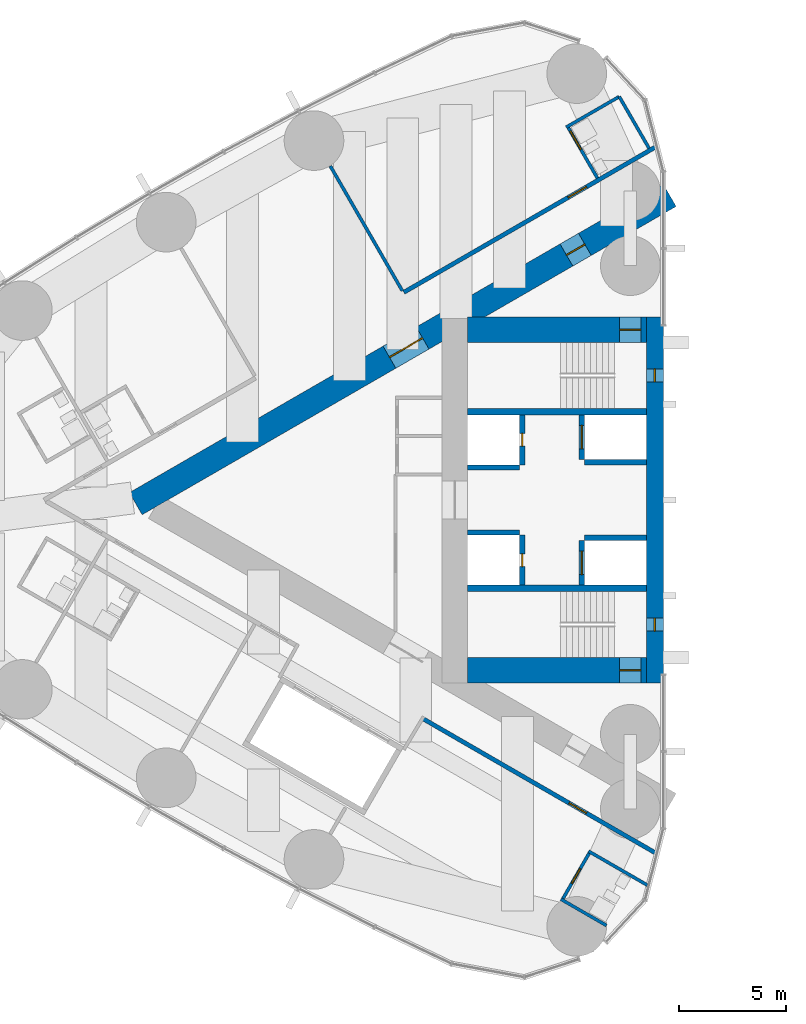
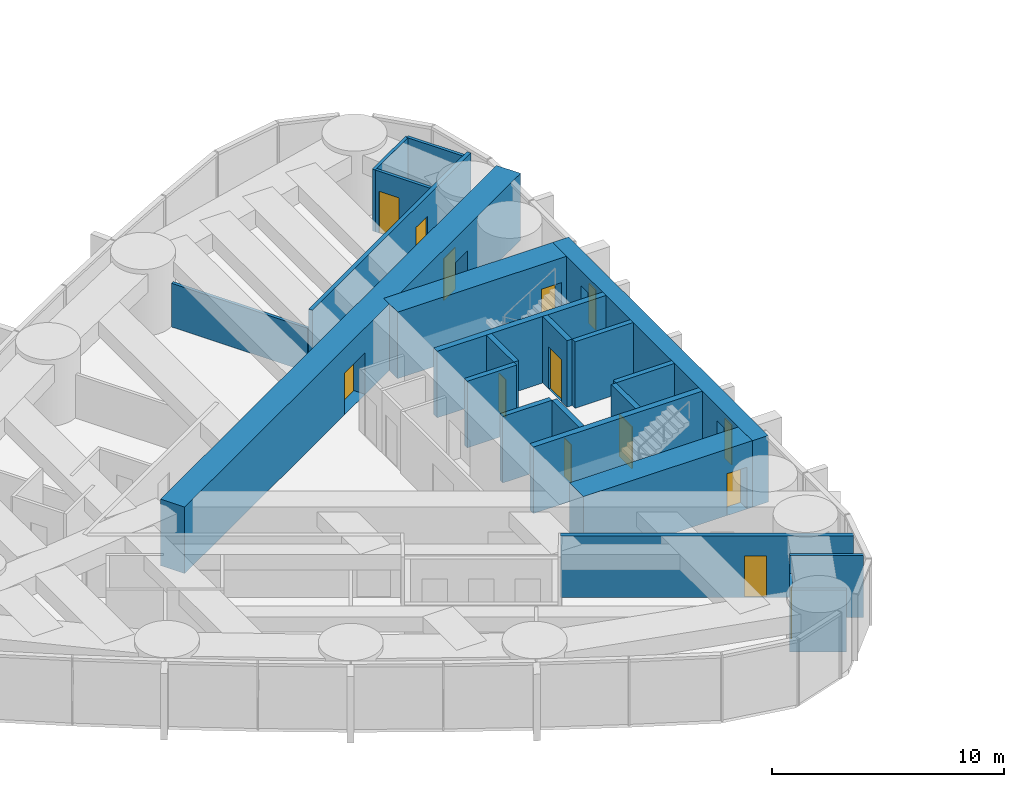
# One storey, part 13 of 19: 23 walls, 12 doors, 2 windows, 14 openings.
"""IFC4 building model written with IfcOpenShell, lengths in metres."""

from ifc_helpers import new_model, si_unit, direction, frame, frame_2d, origin, place, context, subcontext, project, spatial, rectangle, extrude, material, layer, layer_set, type_object, element, fill, save


model = new_model("IFC4")

# Units and contexts
model_context = context("Model", 3, precision=1e-05, world=origin(), true_north=direction((0.0, 1.0)))
body_context = subcontext(model_context, "Body", "Model", "MODEL_VIEW")
ifc_project = project(units=[si_unit("LENGTHUNIT", "METRE"), si_unit("AREAUNIT", "SQUARE_METRE"), si_unit("VOLUMEUNIT", "CUBIC_METRE"), si_unit("PLANEANGLEUNIT", "RADIAN"), si_unit("MASSUNIT", "GRAM", prefix="KILO")], contexts=[model_context])

# Site, building, storey
site_placement = place(None, origin())
site = spatial("IfcSite", under=ifc_project, at=site_placement, CompositionType="ELEMENT")
building_placement = place(site_placement, origin())
building = spatial("IfcBuilding", under=site, at=building_placement, Name="Lancet Gate Hotel", CompositionType="ELEMENT")
storey_placement = place(building_placement, frame((0.0, 0.0, 163.300048828125)))
storey = spatial("IfcBuildingStorey", under=building, at=storey_placement, Name="L43", CompositionType="ELEMENT", Elevation=163.300048828125)

# Wall
ifc_material_1 = material(Name="Moisture resistant board partition")
ifc_layer_1 = layer(ifc_material_1, 0.14990234375)
ifc_layer_set_1 = layer_set([ifc_layer_1], Name="Bathroom wall 150")
wall_type_1 = type_object("IfcWallType", Name="Bathroom wall 150", PredefinedType="PARTITIONING", material=ifc_layer_set_1)
wall_1_placement = place(storey_placement, frame((-29.56982421875, 18.936279296875, 0.0), z_axis=(0.0, 0.0, 1.0), x_axis=(-0.866018712932, -0.500011588718, 0.0)))
element("IfcWall", 1, at=wall_1_placement, inside=storey, type_object=wall_type_1, Name="T1 bathroom wall 150 L43", PredefinedType="PARTITIONING", context=body_context, shape_type="SweptSolid", body=[
    extrude(rectangle(XDim=2.875, YDim=0.14990234375, at=frame_2d((1.4375, 0.0))), origin(), (0.0, 0.0, 1.0), 3.25),
])

# Wall, opening, door
wall_2_placement = place(storey_placement, frame((-30.5947265625, 15.111328125, 0.0), z_axis=(0.0, 0.0, 1.0), x_axis=(-0.49998411664, 0.866034573852, 0.0)))
wall_2 = element("IfcWall", 2, at=wall_2_placement, inside=storey, type_object=wall_type_1, Name="T1 bathroom wall 150 L43", PredefinedType="PARTITIONING", context=body_context, shape_type="SweptSolid", body=[
    extrude(rectangle(XDim=2.7998046875, YDim=0.14990234375, at=frame_2d((1.39990234375, 0.0))), origin(), (0.0, 0.0, 1.0), 3.25),
])
opening_1_placement = place(wall_2_placement, frame((1.550048828125, 0.0, 0.0)))
opening_1 = element("IfcOpeningElement", 3, at=opening_1_placement, cuts=wall_2, Name="Opening 4301-B", PredefinedType="OPENING", context=body_context, shape_type="SweptSolid", body=[
    extrude(rectangle(XDim=1.0, YDim=2.199951171875, at=frame_2d((0.5, 1.10009765625))), frame((0.0, 0.0849609375, 0.0), z_axis=(0.0, -1.0, 0.0), x_axis=(1.0, 0.0, 0.0)), (0.0, 0.0, 1.0), 0.169921875),
])
ifc_material_2 = material(Name="Timber door set", Category="wood")
door_type_1 = type_object("IfcDoorType", Name="Accessible en-suite door 1000", OperationType="SINGLE_SWING_RIGHT", PredefinedType="DOOR", material=ifc_material_2)
door_1_placement = place(opening_1_placement, origin())
door_1 = element("IfcDoor", 4, at=door_1_placement, inside=storey, type_object=door_type_1, Name="4301-B", OperationType="SINGLE_SWING_RIGHT", OverallHeight=2.199951171875, OverallWidth=1.0, PredefinedType="DOOR", context=body_context, shape_type="SweptSolid", body=[
    extrude(rectangle(XDim=1.0, YDim=2.199951171875, at=frame_2d((0.5, 1.10009765625))), frame((0.0, 0.02490234375, 0.0), z_axis=(0.0, -1.0, 0.0), x_axis=(1.0, 0.0, 0.0)), (0.0, 0.0, 1.0), 0.050048828125),
])
fill(opening_1, door_1)

# Walls
wall_3_placement = place(storey_placement, frame((-28.169921875, 16.51123046875, 0.0), z_axis=(0.0, 0.0, 1.0), x_axis=(-0.49994636267, 0.866056369097, 0.0)))
element("IfcWall", 5, at=wall_3_placement, inside=storey, type_object=wall_type_1, Name="T1 bathroom wall 150 L43", PredefinedType="PARTITIONING", context=body_context, shape_type="SweptSolid", body=[
    extrude(rectangle(XDim=2.800048828125, YDim=0.14990234375, at=frame_2d((1.39990234375, 0.0))), origin(), (0.0, 0.0, 1.0), 3.25),
])
wall_4_placement = place(storey_placement, frame((-30.169921875, -19.975341796875, 0.0), z_axis=(0.0, 0.0, 1.0), x_axis=(-0.866006523861, 0.500032699561, 0.0)))
element("IfcWall", 6, at=wall_4_placement, inside=storey, type_object=wall_type_1, Name="T1 bathroom wall 150 L43", PredefinedType="PARTITIONING", context=body_context, shape_type="SweptSolid", body=[
    extrude(rectangle(XDim=2.474853515625, YDim=0.14990234375, at=frame_2d((1.2373046875, 0.0))), origin(), (0.0, 0.0, 1.0), 3.25),
])

# Wall, opening, door
wall_5_placement = place(storey_placement, frame((-30.9482421875, -16.523681640625, 0.0), z_axis=(0.0, 0.0, 1.0), x_axis=(-0.500006934395, -0.866021400173, 0.0)))
wall_5 = element("IfcWall", 7, at=wall_5_placement, inside=storey, type_object=wall_type_1, Name="T1 bathroom wall 150 L43", PredefinedType="PARTITIONING", context=body_context, shape_type="SweptSolid", body=[
    extrude(rectangle(XDim=2.60009765625, YDim=0.14990234375, at=frame_2d((1.300048828125, 0.0))), origin(), (0.0, 0.0, 1.0), 2.300048828125),
])
opening_2_placement = place(wall_5_placement, frame((0.89990234375, 0.0, 0.0)))
opening_2 = element("IfcOpeningElement", 8, at=opening_2_placement, cuts=wall_5, Name="Opening 4308-B", PredefinedType="OPENING", context=body_context, shape_type="SweptSolid", body=[
    extrude(rectangle(XDim=0.800048828125, YDim=2.199951171875, at=frame_2d((0.39990234375, 1.10009765625))), frame((0.0, 0.0849609375, 0.0), z_axis=(0.0, -1.0, 0.0), x_axis=(1.0, 0.0, 0.0)), (0.0, 0.0, 1.0), 0.169921875),
])
ifc_material_3 = material(Name="Timber door set", Category="wood")
door_type_2 = type_object("IfcDoorType", Name="Bathroom door 800", OperationType="SINGLE_SWING_RIGHT", PredefinedType="DOOR", material=ifc_material_3)
door_2_placement = place(opening_2_placement, origin())
door_2 = element("IfcDoor", 9, at=door_2_placement, inside=storey, type_object=door_type_2, Name="4308-B", OperationType="SINGLE_SWING_RIGHT", OverallHeight=2.199951171875, OverallWidth=0.800048828125, PredefinedType="DOOR", context=body_context, shape_type="SweptSolid", body=[
    extrude(rectangle(XDim=0.800048828125, YDim=2.199951171875, at=frame_2d((0.39990234375, 1.10009765625))), frame((0.0, 0.02490234375, 0.0), z_axis=(0.0, -1.0, 0.0), x_axis=(1.0, 0.0, 0.0)), (0.0, 0.0, 1.0), 0.050048828125),
])
fill(opening_2, door_2)

# Wall
wall_6_placement = place(storey_placement, frame((-28.246337890625, -18.083740234375, 0.0), z_axis=(0.0, 0.0, 1.0), x_axis=(-0.866029063467, 0.49999366119, 0.0)))
element("IfcWall", 10, at=wall_6_placement, inside=storey, type_object=wall_type_1, Name="T1 bathroom wall 150 L43", PredefinedType="PARTITIONING", context=body_context, shape_type="SweptSolid", body=[
    extrude(rectangle(XDim=3.19482421875, YDim=0.14990234375, at=frame_2d((1.597412109375, 0.0))), origin(), (0.0, 0.0, 1.0), 3.25),
])

# Wall, openings, doors
ifc_material_4 = material(Name="Concrete C70/85", Category="concrete")
ifc_layer_2 = layer(ifc_material_4, 1.199951171875)
ifc_layer_set_2 = layer_set([ifc_layer_2], Name="Buttress wall 1200")
wall_type_2 = type_object("IfcWallType", Name="Buttress wall 1200", PredefinedType="SHEAR", material=ifc_layer_set_2)
wall_7_placement = place(storey_placement, frame((-27.199951171875, 14.300048828125, 0.0), z_axis=(0.0, 0.0, 1.0), x_axis=(-0.866026593062, -0.499997940104, 0.0)))
wall_7 = element("IfcWall", 11, at=wall_7_placement, inside=storey, type_object=wall_type_2, Name="T1 buttress wall S L43", PredefinedType="SHEAR", context=body_context, shape_type="SweptSolid", body=[
    extrude(rectangle(XDim=28.9462890625, YDim=1.199951171875, at=frame_2d((14.47314453125, 0.0))), origin(), (0.0, 0.0, 1.0), 3.5),
])
opening_3_placement = place(wall_7_placement, frame((4.60009765625, 0.0, 0.0)))
opening_3 = element("IfcOpeningElement", 12, at=opening_3_placement, cuts=wall_7, Name="Opening T1-L43-LS", PredefinedType="OPENING", context=body_context, shape_type="SweptSolid", body=[
    extrude(rectangle(XDim=1.0, YDim=2.199951171875, at=frame_2d((0.5, 1.10009765625))), frame((0.0, 0.60986328125, 0.0), z_axis=(0.0, -1.0, 0.0), x_axis=(1.0, 0.0, 0.0)), (0.0, 0.0, 1.0), 1.219970703125),
])
opening_4_placement = place(wall_7_placement, frame((13.39453125, 0.0, 0.0)))
opening_4 = element("IfcOpeningElement", 13, at=opening_4_placement, cuts=wall_7, Name="Opening T1-L43-LHS", PredefinedType="OPENING", context=body_context, shape_type="SweptSolid", body=[
    extrude(rectangle(XDim=1.800048828125, YDim=2.199951171875, at=frame_2d((0.89990234375, 1.10009765625))), frame((0.0, 0.60986328125, 0.0), z_axis=(0.0, -1.0, 0.0), x_axis=(1.0, 0.0, 0.0)), (0.0, 0.0, 1.0), 1.219970703125),
])
ifc_material_5 = material(Name="Timber door set", Category="wood")
door_type_3 = type_object("IfcDoorType", Name="Lobby double door 1800", OperationType="DOUBLE_DOOR_SINGLE_SWING", PredefinedType="DOOR", material=ifc_material_5)
door_3_placement = place(opening_4_placement, origin())
door_3 = element("IfcDoor", 14, at=door_3_placement, inside=storey, type_object=door_type_3, Name="T1-L43-LHS", OperationType="DOUBLE_DOOR_SINGLE_SWING", OverallHeight=2.199951171875, OverallWidth=1.800048828125, PredefinedType="DOOR", context=body_context, shape_type="SweptSolid", body=[
    extrude(rectangle(XDim=1.800048828125, YDim=2.199951171875, at=frame_2d((0.89990234375, 1.10009765625))), frame((0.0, 0.02490234375, 0.0), z_axis=(0.0, -1.0, 0.0), x_axis=(1.0, 0.0, 0.0)), (0.0, 0.0, 1.0), 0.050048828125),
])
fill(opening_4, door_3)
ifc_material_6 = material(Name="Timber door set", Category="wood")
door_type_4 = type_object("IfcDoorType", Name="Stair lobby door 1000", OperationType="SINGLE_SWING_LEFT", PredefinedType="DOOR", material=ifc_material_6)
door_4_placement = place(opening_3_placement, origin())
door_4 = element("IfcDoor", 15, at=door_4_placement, inside=storey, type_object=door_type_4, Name="T1-L43-LS", OperationType="SINGLE_SWING_LEFT", OverallHeight=2.199951171875, OverallWidth=1.0, PredefinedType="DOOR", context=body_context, shape_type="SweptSolid", body=[
    extrude(rectangle(XDim=1.0, YDim=2.199951171875, at=frame_2d((0.5, 1.10009765625))), frame((0.0, 0.02490234375, 0.0), z_axis=(0.0, -1.0, 0.0), x_axis=(1.0, 0.0, 0.0)), (0.0, 0.0, 1.0), 0.050048828125),
])
fill(opening_3, door_4)

# Wall, opening, door
ifc_material_7 = material(Name="Concrete C70/85", Category="concrete")
ifc_layer_3 = layer(ifc_material_7, 1.199951171875)
ifc_layer_set_3 = layer_set([ifc_layer_3], Name="Core wall 1200")
wall_type_3 = type_object("IfcWallType", Name="Core wall 1200", PredefinedType="SHEAR", material=ifc_layer_set_3)
wall_8_placement = place(storey_placement, frame((-28.300048828125, 8.0, 0.0), z_axis=(0.0, 0.0, 1.0), x_axis=(-1.0, 0.0, 0.0)))
wall_8 = element("IfcWall", 16, at=wall_8_placement, inside=storey, type_object=wall_type_3, Name="T1 core wall side-S L43", PredefinedType="SHEAR", context=body_context, shape_type="SweptSolid", body=[
    extrude(rectangle(XDim=8.39990234375, YDim=1.199951171875, at=frame_2d((4.199951171875, 0.0))), origin(), (0.0, 0.0, 1.0), 3.5),
])
opening_5_placement = place(wall_8_placement, frame((0.25, 0.0, 0.0)))
opening_5 = element("IfcOpeningElement", 17, at=opening_5_placement, cuts=wall_8, Name="Opening T1-L43-ST1", PredefinedType="OPENING", context=body_context, shape_type="SweptSolid", body=[
    extrude(rectangle(XDim=1.0, YDim=2.199951171875, at=frame_2d((0.5, 1.10009765625))), frame((0.0, 0.60986328125, 0.0), z_axis=(0.0, -1.0, 0.0), x_axis=(1.0, 0.0, 0.0)), (0.0, 0.0, 1.0), 1.219970703125),
])
ifc_material_8 = material(Name="Timber door set", Category="wood")
door_type_5 = type_object("IfcDoorType", Name="Stair door 1000", OperationType="SINGLE_SWING_RIGHT", PredefinedType="DOOR", material=ifc_material_8)
door_5_placement = place(opening_5_placement, origin())
door_5 = element("IfcDoor", 18, at=door_5_placement, inside=storey, type_object=door_type_5, Name="T1-L43-ST1", OperationType="SINGLE_SWING_RIGHT", OverallHeight=2.199951171875, OverallWidth=1.0, PredefinedType="DOOR", context=body_context, shape_type="SweptSolid", body=[
    extrude(rectangle(XDim=1.0, YDim=2.199951171875, at=frame_2d((0.5, 1.10009765625))), frame((0.0, 0.02490234375, 0.0), z_axis=(0.0, -1.0, 0.0), x_axis=(1.0, 0.0, 0.0)), (0.0, 0.0, 1.0), 0.050048828125),
])
fill(opening_5, door_5)

wall_9_placement = place(storey_placement, frame((-28.300048828125, -8.0, 0.0), z_axis=(0.0, 0.0, 1.0), x_axis=(-1.0, 0.0, 0.0)))
wall_9 = element("IfcWall", 19, at=wall_9_placement, inside=storey, type_object=wall_type_3, Name="T1 core wall side-N L43", PredefinedType="SHEAR", context=body_context, shape_type="SweptSolid", body=[
    extrude(rectangle(XDim=8.39990234375, YDim=1.199951171875, at=frame_2d((4.199951171875, 0.0))), origin(), (0.0, 0.0, 1.0), 3.5),
])
opening_6_placement = place(wall_9_placement, frame((0.25, 0.0, 0.0)))
opening_6 = element("IfcOpeningElement", 20, at=opening_6_placement, cuts=wall_9, Name="Opening T1-L43-ST2", PredefinedType="OPENING", context=body_context, shape_type="SweptSolid", body=[
    extrude(rectangle(XDim=1.0, YDim=2.199951171875, at=frame_2d((0.5, 1.10009765625))), frame((0.0, 0.60986328125, 0.0), z_axis=(0.0, -1.0, 0.0), x_axis=(1.0, 0.0, 0.0)), (0.0, 0.0, 1.0), 1.219970703125),
])
door_6_placement = place(opening_6_placement, origin())
door_6 = element("IfcDoor", 21, at=door_6_placement, inside=storey, type_object=door_type_5, Name="T1-L43-ST2", OperationType="SINGLE_SWING_RIGHT", OverallHeight=2.199951171875, OverallWidth=1.0, PredefinedType="DOOR", context=body_context, shape_type="SweptSolid", body=[
    extrude(rectangle(XDim=1.0, YDim=2.199951171875, at=frame_2d((0.5, 1.10009765625))), frame((0.0, 0.02490234375, 0.0), z_axis=(0.0, -1.0, 0.0), x_axis=(1.0, 0.0, 0.0)), (0.0, 0.0, 1.0), 0.050048828125),
])
fill(opening_6, door_6)

# Wall, openings, windows
ifc_material_9 = material(Name="Concrete C70/85", Category="concrete")
ifc_layer_4 = layer(ifc_material_9, 0.800048828125)
ifc_layer_set_4 = layer_set([ifc_layer_4], Name="Core wall 800")
wall_type_4 = type_object("IfcWallType", Name="Core wall 800", PredefinedType="SHEAR", material=ifc_layer_set_4)
wall_10_placement = place(storey_placement, frame((-27.89990234375, 8.60009765625, 0.0), z_axis=(0.0, 0.0, 1.0), x_axis=(0.0, -1.0, 0.0)))
wall_10 = element("IfcWall", 22, at=wall_10_placement, inside=storey, type_object=wall_type_4, Name="T1 core wall front L43", PredefinedType="SHEAR", context=body_context, shape_type="SweptSolid", body=[
    extrude(rectangle(XDim=17.2001953125, YDim=0.800048828125, at=frame_2d((8.60009765625, 0.0))), origin(), (0.0, 0.0, 1.0), 3.5),
])
opening_7_placement = place(wall_10_placement, frame((2.449951171875, 0.0, 0.60009765625)))
opening_7 = element("IfcOpeningElement", 23, at=opening_7_placement, cuts=wall_10, Name="Opening LW1", PredefinedType="OPENING", context=body_context, shape_type="SweptSolid", body=[
    extrude(rectangle(XDim=0.60009765625, YDim=2.10009765625, at=frame_2d((0.300048828125, 1.050048828125))), frame((0.0, 0.409912109375, 0.0), z_axis=(0.0, -1.0, 0.0), x_axis=(1.0, 0.0, 0.0)), (0.0, 0.0, 1.0), 0.820068359375),
])
opening_8_placement = place(wall_10_placement, frame((14.14990234375, 0.0, 0.60009765625)))
opening_8 = element("IfcOpeningElement", 24, at=opening_8_placement, cuts=wall_10, Name="Opening LW1", PredefinedType="OPENING", context=body_context, shape_type="SweptSolid", body=[
    extrude(rectangle(XDim=0.60009765625, YDim=2.10009765625, at=frame_2d((0.300048828125, 1.050048828125))), frame((0.0, 0.409912109375, 0.0), z_axis=(0.0, -1.0, 0.0), x_axis=(1.0, 0.0, 0.0)), (0.0, 0.0, 1.0), 0.820068359375),
])
ifc_material_10 = material(Name="Fire-resisting glazed steel window", Category="steel")
window_type = type_object("IfcWindowType", Name="Lancet window 600x2100", PartitioningType="SINGLE_PANEL", PredefinedType="WINDOW", material=ifc_material_10)
window_1_placement = place(opening_7_placement, origin())
window_1 = element("IfcWindow", 25, at=window_1_placement, inside=storey, type_object=window_type, Name="T1 stair window S L43", OverallHeight=2.10009765625, OverallWidth=0.60009765625, PartitioningType="SINGLE_PANEL", PredefinedType="WINDOW", context=body_context, shape_type="SweptSolid", body=[
    extrude(rectangle(XDim=0.60009765625, YDim=2.10009765625, at=frame_2d((0.300048828125, 1.050048828125))), frame((0.0, 0.030029296875, 0.0), z_axis=(0.0, -1.0, 0.0), x_axis=(1.0, 0.0, 0.0)), (0.0, 0.0, 1.0), 0.06005859375),
])
fill(opening_7, window_1)
window_2_placement = place(opening_8_placement, origin())
window_2 = element("IfcWindow", 26, at=window_2_placement, inside=storey, type_object=window_type, Name="T1 stair window N L43", OverallHeight=2.10009765625, OverallWidth=0.60009765625, PartitioningType="SINGLE_PANEL", PredefinedType="WINDOW", context=body_context, shape_type="SweptSolid", body=[
    extrude(rectangle(XDim=0.60009765625, YDim=2.10009765625, at=frame_2d((0.300048828125, 1.050048828125))), frame((0.0, 0.030029296875, 0.0), z_axis=(0.0, -1.0, 0.0), x_axis=(1.0, 0.0, 0.0)), (0.0, 0.0, 1.0), 0.06005859375),
])
fill(opening_8, window_2)

# Wall, opening, door
ifc_material_11 = material(Name="Gypsum board partition")
ifc_layer_5 = layer(ifc_material_11, 0.199951171875)
ifc_layer_set_5 = layer_set([ifc_layer_5], Name="Corridor wall 200")
wall_type_5 = type_object("IfcWallType", Name="Corridor wall 200", PredefinedType="PARTITIONING", material=ifc_layer_set_5)
wall_11_placement = place(storey_placement, frame((-27.860107421875, -16.57470703125, 0.0), z_axis=(0.0, 0.0, 1.0), x_axis=(-0.866027756871, 0.499995924312, 0.0)))
wall_11 = element("IfcWall", 27, at=wall_11_placement, inside=storey, type_object=wall_type_5, Name="T1 corridor wall 200 L43", PredefinedType="PARTITIONING", context=body_context, shape_type="SweptSolid", body=[
    extrude(rectangle(XDim=12.6220703125, YDim=0.199951171875, at=frame_2d((6.31103515625, 0.0))), origin(), (0.0, 0.0, 1.0), 3.25),
])
opening_9_placement = place(wall_11_placement, frame((3.75, 0.0, 0.0)))
opening_9 = element("IfcOpeningElement", 28, at=opening_9_placement, cuts=wall_11, Name="Opening 4308-E", PredefinedType="OPENING", context=body_context, shape_type="SweptSolid", body=[
    extrude(rectangle(XDim=0.949951171875, YDim=2.199951171875, at=frame_2d((0.47509765625, 1.10009765625))), frame((0.0, 0.10986328125, 0.0), z_axis=(0.0, -1.0, 0.0), x_axis=(1.0, 0.0, 0.0)), (0.0, 0.0, 1.0), 0.219970703125),
])
ifc_material_12 = material(Name="Timber door set", Category="wood")
door_type_6 = type_object("IfcDoorType", Name="Guest room entry door 950", OperationType="SINGLE_SWING_LEFT", PredefinedType="DOOR", material=ifc_material_12)
door_7_placement = place(opening_9_placement, origin())
door_7 = element("IfcDoor", 29, at=door_7_placement, inside=storey, type_object=door_type_6, Name="4308-E", OperationType="SINGLE_SWING_LEFT", OverallHeight=2.199951171875, OverallWidth=0.949951171875, PredefinedType="DOOR", context=body_context, shape_type="SweptSolid", body=[
    extrude(rectangle(XDim=0.949951171875, YDim=2.199951171875, at=frame_2d((0.47509765625, 1.10009765625))), frame((0.0, 0.02490234375, 0.0), z_axis=(0.0, -1.0, 0.0), x_axis=(1.0, 0.0, 0.0)), (0.0, 0.0, 1.0), 0.050048828125),
])
fill(opening_9, door_7)

wall_12_placement = place(storey_placement, frame((-27.860107421875, 16.57470703125, 0.0), z_axis=(0.0, 0.0, 1.0), x_axis=(-0.866026850238, -0.499997494661, 0.0)))
wall_12 = element("IfcWall", 30, at=wall_12_placement, inside=storey, type_object=wall_type_5, Name="T1 corridor wall 200 L43", PredefinedType="PARTITIONING", context=body_context, shape_type="SweptSolid", body=[
    extrude(rectangle(XDim=13.6513671875, YDim=0.199951171875, at=frame_2d((6.82568359375, 0.0))), origin(), (0.0, 0.0, 1.0), 3.25),
])
opening_10_placement = place(wall_12_placement, frame((3.75, 0.0, 0.0)))
opening_10 = element("IfcOpeningElement", 31, at=opening_10_placement, cuts=wall_12, Name="Opening 4301-E", PredefinedType="OPENING", context=body_context, shape_type="SweptSolid", body=[
    extrude(rectangle(XDim=1.0, YDim=2.199951171875, at=frame_2d((0.5, 1.10009765625))), frame((0.0, 0.10986328125, 0.0), z_axis=(0.0, -1.0, 0.0), x_axis=(1.0, 0.0, 0.0)), (0.0, 0.0, 1.0), 0.219970703125),
])
ifc_material_13 = material(Name="Timber door set", Category="wood")
door_type_7 = type_object("IfcDoorType", Name="Accessible guest room door 1000", OperationType="SINGLE_SWING_LEFT", PredefinedType="DOOR", material=ifc_material_13)
door_8_placement = place(opening_10_placement, origin())
door_8 = element("IfcDoor", 32, at=door_8_placement, inside=storey, type_object=door_type_7, Name="4301-E", OperationType="SINGLE_SWING_LEFT", OverallHeight=2.199951171875, OverallWidth=1.0, PredefinedType="DOOR", context=body_context, shape_type="SweptSolid", body=[
    extrude(rectangle(XDim=1.0, YDim=2.199951171875, at=frame_2d((0.5, 1.10009765625))), frame((0.0, 0.02490234375, 0.0), z_axis=(0.0, -1.0, 0.0), x_axis=(1.0, 0.0, 0.0)), (0.0, 0.0, 1.0), 0.050048828125),
])
fill(opening_10, door_8)

ifc_material_14 = material(Name="Concrete C50/60", Category="concrete")
ifc_layer_6 = layer(ifc_material_14, 0.25)
ifc_layer_set_6 = layer_set([ifc_layer_6], Name="Lift shaft wall 250")
wall_type_6 = type_object("IfcWallType", Name="Lift shaft wall 250", PredefinedType="SHEAR", material=ifc_layer_set_6)
wall_13_placement = place(storey_placement, frame((-31.324951171875, 4.0, 0.0), z_axis=(0.0, 0.0, 1.0), x_axis=(0.0, -1.0, 0.0)))
wall_13 = element("IfcWall", 33, at=wall_13_placement, inside=storey, type_object=wall_type_6, Name="T1 core wall row1-S L43", PredefinedType="SHEAR", context=body_context, shape_type="SweptSolid", body=[
    extrude(rectangle(XDim=2.10009765625, YDim=0.25, at=frame_2d((1.050048828125, 0.0))), origin(), (0.0, 0.0, 1.0), 3.5),
])
opening_11_placement = place(wall_13_placement, frame((0.5, 0.0, 0.0)))
opening_11 = element("IfcOpeningElement", 34, at=opening_11_placement, cuts=wall_13, Name="Opening T1-SL1-L43", PredefinedType="OPENING", context=body_context, shape_type="SweptSolid", body=[
    extrude(rectangle(XDim=1.10009765625, YDim=2.199951171875, at=frame_2d((0.550048828125, 1.10009765625))), frame((0.0, 0.135009765625, 0.0), z_axis=(0.0, -1.0, 0.0), x_axis=(1.0, 0.0, 0.0)), (0.0, 0.0, 1.0), 0.27001953125),
])
ifc_material_15 = material(Name="Timber door set", Category="wood")
door_type_8 = type_object("IfcDoorType", Name="Service lift landing door 1100", OperationType="SLIDING_TO_LEFT", PredefinedType="USERDEFINED", material=ifc_material_15)
door_9_placement = place(opening_11_placement, origin())
door_9 = element("IfcDoor", 35, at=door_9_placement, inside=storey, type_object=door_type_8, Name="T1-SL1-L43", ObjectType="LIFT LANDING DOOR", OperationType="SLIDING_TO_LEFT", OverallHeight=2.199951171875, OverallWidth=1.10009765625, PredefinedType="USERDEFINED", context=body_context, shape_type="SweptSolid", body=[
    extrude(rectangle(XDim=1.10009765625, YDim=2.199951171875, at=frame_2d((0.550048828125, 1.10009765625))), frame((0.0, 0.02490234375, 0.0), z_axis=(0.0, -1.0, 0.0), x_axis=(1.0, 0.0, 0.0)), (0.0, 0.0, 1.0), 0.050048828125),
])
fill(opening_11, door_9)

wall_14_placement = place(storey_placement, frame((-34.125, 4.0, 0.0), z_axis=(0.0, 0.0, 1.0), x_axis=(0.0, -1.0, 0.0)))
wall_14 = element("IfcWall", 36, at=wall_14_placement, inside=storey, type_object=wall_type_6, Name="T1 core wall row2-S L43", PredefinedType="SHEAR", context=body_context, shape_type="SweptSolid", body=[
    extrude(rectangle(XDim=2.35009765625, YDim=0.25, at=frame_2d((1.175048828125, 0.0))), origin(), (0.0, 0.0, 1.0), 3.5),
])
opening_12_placement = place(wall_14_placement, frame((0.875, 0.0, 0.0)))
opening_12 = element("IfcOpeningElement", 37, at=opening_12_placement, cuts=wall_14, Name="Opening T1-OL3-L43-E", PredefinedType="OPENING", context=body_context, shape_type="SweptSolid", body=[
    extrude(rectangle(XDim=0.60009765625, YDim=2.0, at=frame_2d((0.300048828125, 1.0))), frame((0.0, 0.135009765625, 0.0), z_axis=(0.0, -1.0, 0.0), x_axis=(1.0, 0.0, 0.0)), (0.0, 0.0, 1.0), 0.27001953125),
])
ifc_material_16 = material(Name="Steel door set", Category="steel")
door_type_9 = type_object("IfcDoorType", Name="Lift shaft emergency door 600x2000", OperationType="SLIDING_TO_LEFT", PredefinedType="DOOR", material=ifc_material_16)
door_10_placement = place(opening_12_placement, origin())
door_10 = element("IfcDoor", 38, at=door_10_placement, inside=storey, type_object=door_type_9, Name="T1-OL3-L43-E", OperationType="SLIDING_TO_LEFT", OverallHeight=2.0, OverallWidth=0.60009765625, PredefinedType="DOOR", context=body_context, shape_type="SweptSolid", body=[
    extrude(rectangle(XDim=0.60009765625, YDim=2.0, at=frame_2d((0.300048828125, 1.0))), frame((0.0, 0.02490234375, 0.0), z_axis=(0.0, -1.0, 0.0), x_axis=(1.0, 0.0, 0.0)), (0.0, 0.0, 1.0), 0.050048828125),
])
fill(opening_12, door_10)

# Walls
wall_15_placement = place(storey_placement, frame((-28.300048828125, 1.77490234375, 0.0), z_axis=(0.0, 0.0, 1.0), x_axis=(-1.0, 0.0, 0.0)))
element("IfcWall", 39, at=wall_15_placement, inside=storey, type_object=wall_type_6, Name="T1 core wall pass1-S L43", PredefinedType="SHEAR", context=body_context, shape_type="SweptSolid", body=[
    extrude(rectangle(XDim=2.89990234375, YDim=0.25, at=frame_2d((1.449951171875, 0.0))), origin(), (0.0, 0.0, 1.0), 3.5),
])
wall_16_placement = place(storey_placement, frame((-34.25, 1.52490234375, 0.0), z_axis=(0.0, 0.0, 1.0), x_axis=(-1.0, 0.0, 0.0)))
element("IfcWall", 40, at=wall_16_placement, inside=storey, type_object=wall_type_6, Name="T1 core wall pass2-S L43", PredefinedType="SHEAR", context=body_context, shape_type="SweptSolid", body=[
    extrude(rectangle(XDim=2.449951171875, YDim=0.25, at=frame_2d((1.22509765625, 0.0))), origin(), (0.0, 0.0, 1.0), 3.5),
])

# Wall, opening, door
wall_17_placement = place(storey_placement, frame((-31.324951171875, -1.89990234375, 0.0), z_axis=(0.0, 0.0, 1.0), x_axis=(0.0, -1.0, 0.0)))
wall_17 = element("IfcWall", 41, at=wall_17_placement, inside=storey, type_object=wall_type_6, Name="T1 core wall row1-N L43", PredefinedType="SHEAR", context=body_context, shape_type="SweptSolid", body=[
    extrude(rectangle(XDim=2.10009765625, YDim=0.25, at=frame_2d((1.050048828125, 0.0))), origin(), (0.0, 0.0, 1.0), 3.5),
])
opening_13_placement = place(wall_17_placement, frame((0.5, 0.0, 0.0)))
opening_13 = element("IfcOpeningElement", 42, at=opening_13_placement, cuts=wall_17, Name="Opening T1-FL2-L43", PredefinedType="OPENING", context=body_context, shape_type="SweptSolid", body=[
    extrude(rectangle(XDim=1.10009765625, YDim=2.199951171875, at=frame_2d((0.550048828125, 1.10009765625))), frame((0.0, 0.135009765625, 0.0), z_axis=(0.0, -1.0, 0.0), x_axis=(1.0, 0.0, 0.0)), (0.0, 0.0, 1.0), 0.27001953125),
])
ifc_material_17 = material(Name="Steel door set", Category="steel")
door_type_10 = type_object("IfcDoorType", Name="Firefighting lift landing door 1100", OperationType="SLIDING_TO_LEFT", PredefinedType="USERDEFINED", material=ifc_material_17)
door_11_placement = place(opening_13_placement, origin())
door_11 = element("IfcDoor", 43, at=door_11_placement, inside=storey, type_object=door_type_10, Name="T1-FL2-L43", ObjectType="LIFT LANDING DOOR", OperationType="SLIDING_TO_LEFT", OverallHeight=2.199951171875, OverallWidth=1.10009765625, PredefinedType="USERDEFINED", context=body_context, shape_type="SweptSolid", body=[
    extrude(rectangle(XDim=1.10009765625, YDim=2.199951171875, at=frame_2d((0.550048828125, 1.10009765625))), frame((0.0, 0.02490234375, 0.0), z_axis=(0.0, -1.0, 0.0), x_axis=(1.0, 0.0, 0.0)), (0.0, 0.0, 1.0), 0.050048828125),
])
fill(opening_13, door_11)

wall_18_placement = place(storey_placement, frame((-34.125, -1.64990234375, 0.0), z_axis=(0.0, 0.0, 1.0), x_axis=(0.0, -1.0, 0.0)))
wall_18 = element("IfcWall", 44, at=wall_18_placement, inside=storey, type_object=wall_type_6, Name="T1 core wall row2-N L43", PredefinedType="SHEAR", context=body_context, shape_type="SweptSolid", body=[
    extrude(rectangle(XDim=2.35009765625, YDim=0.25, at=frame_2d((1.175048828125, 0.0))), origin(), (0.0, 0.0, 1.0), 3.5),
])
opening_14_placement = place(wall_18_placement, frame((0.875, 0.0, 0.0)))
opening_14 = element("IfcOpeningElement", 45, at=opening_14_placement, cuts=wall_18, Name="Opening T1-OL4-L43-E", PredefinedType="OPENING", context=body_context, shape_type="SweptSolid", body=[
    extrude(rectangle(XDim=0.60009765625, YDim=2.0, at=frame_2d((0.300048828125, 1.0))), frame((0.0, 0.135009765625, 0.0), z_axis=(0.0, -1.0, 0.0), x_axis=(1.0, 0.0, 0.0)), (0.0, 0.0, 1.0), 0.27001953125),
])
door_12_placement = place(opening_14_placement, origin())
door_12 = element("IfcDoor", 46, at=door_12_placement, inside=storey, type_object=door_type_9, Name="T1-OL4-L43-E", OperationType="SLIDING_TO_LEFT", OverallHeight=2.0, OverallWidth=0.60009765625, PredefinedType="DOOR", context=body_context, shape_type="SweptSolid", body=[
    extrude(rectangle(XDim=0.60009765625, YDim=2.0, at=frame_2d((0.300048828125, 1.0))), frame((0.0, 0.02490234375, 0.0), z_axis=(0.0, -1.0, 0.0), x_axis=(1.0, 0.0, 0.0)), (0.0, 0.0, 1.0), 0.050048828125),
])
fill(opening_14, door_12)

# Walls
wall_19_placement = place(storey_placement, frame((-28.300048828125, -1.77490234375, 0.0), z_axis=(0.0, 0.0, 1.0), x_axis=(-1.0, 0.0, 0.0)))
element("IfcWall", 47, at=wall_19_placement, inside=storey, type_object=wall_type_6, Name="T1 core wall pass1-N L43", PredefinedType="SHEAR", context=body_context, shape_type="SweptSolid", body=[
    extrude(rectangle(XDim=2.89990234375, YDim=0.25, at=frame_2d((1.449951171875, 0.0))), origin(), (0.0, 0.0, 1.0), 3.5),
])
wall_20_placement = place(storey_placement, frame((-34.25, -1.52490234375, 0.0), z_axis=(0.0, 0.0, 1.0), x_axis=(-1.0, 0.0, 0.0)))
element("IfcWall", 48, at=wall_20_placement, inside=storey, type_object=wall_type_6, Name="T1 core wall pass2-N L43", PredefinedType="SHEAR", context=body_context, shape_type="SweptSolid", body=[
    extrude(rectangle(XDim=2.449951171875, YDim=0.25, at=frame_2d((1.22509765625, 0.0))), origin(), (0.0, 0.0, 1.0), 3.5),
])
ifc_material_18 = material(Name="Gypsum board partition")
ifc_layer_7 = layer(ifc_material_18, 0.14990234375)
ifc_layer_set_7 = layer_set([ifc_layer_7], Name="Party wall 150")
wall_type_7 = type_object("IfcWallType", Name="Party wall 150", PredefinedType="PARTITIONING", material=ifc_layer_set_7)
wall_21_placement = place(storey_placement, frame((-39.75439453125, 9.822998046875, 0.0), z_axis=(0.0, 0.0, 1.0), x_axis=(-0.499997670926, 0.866026748472, 0.0)))
element("IfcWall", 49, at=wall_21_placement, inside=storey, type_object=wall_type_7, Name="T1 party wall 150 L43", PredefinedType="PARTITIONING", context=body_context, shape_type="SweptSolid", body=[
    extrude(rectangle(XDim=6.75732421875, YDim=0.14990234375, at=frame_2d((3.378662109375, 0.0))), origin(), (0.0, 0.0, 1.0), 2.300048828125),
])
ifc_material_19 = material(Name="Concrete C50/60", Category="concrete")
ifc_layer_8 = layer(ifc_material_19, 0.300048828125)
ifc_layer_set_8 = layer_set([ifc_layer_8], Name="Stair enclosure wall 300")
wall_type_8 = type_object("IfcWallType", Name="Stair enclosure wall 300", PredefinedType="SHEAR", material=ifc_layer_set_8)
for number, where, z_axis, x_axis, name in (
    (50, (-28.300048828125, 4.14990234375, 0.0), (0.0, 0.0, 1.0), (-1.0, 0.0, 0.0), "T1 core wall stair-S L43"),
    (51, (-28.300048828125, -4.14990234375, 0.0), (0.0, 0.0, 1.0), (-1.0, 0.0, 0.0), "T1 core wall stair-N L43"),
):
    element("IfcWall", number, at=place(storey_placement, frame(where, z_axis=z_axis, x_axis=x_axis)), inside=storey, type_object=wall_type_8, Name=name, PredefinedType="SHEAR", context=body_context, shape_type="SweptSolid", body=[
        extrude(rectangle(XDim=8.39990234375, YDim=0.300048828125, at=frame_2d((4.199951171875, 0.0))), origin(), (0.0, 0.0, 1.0), 3.5),
    ])

save(model, "model.ifc")
